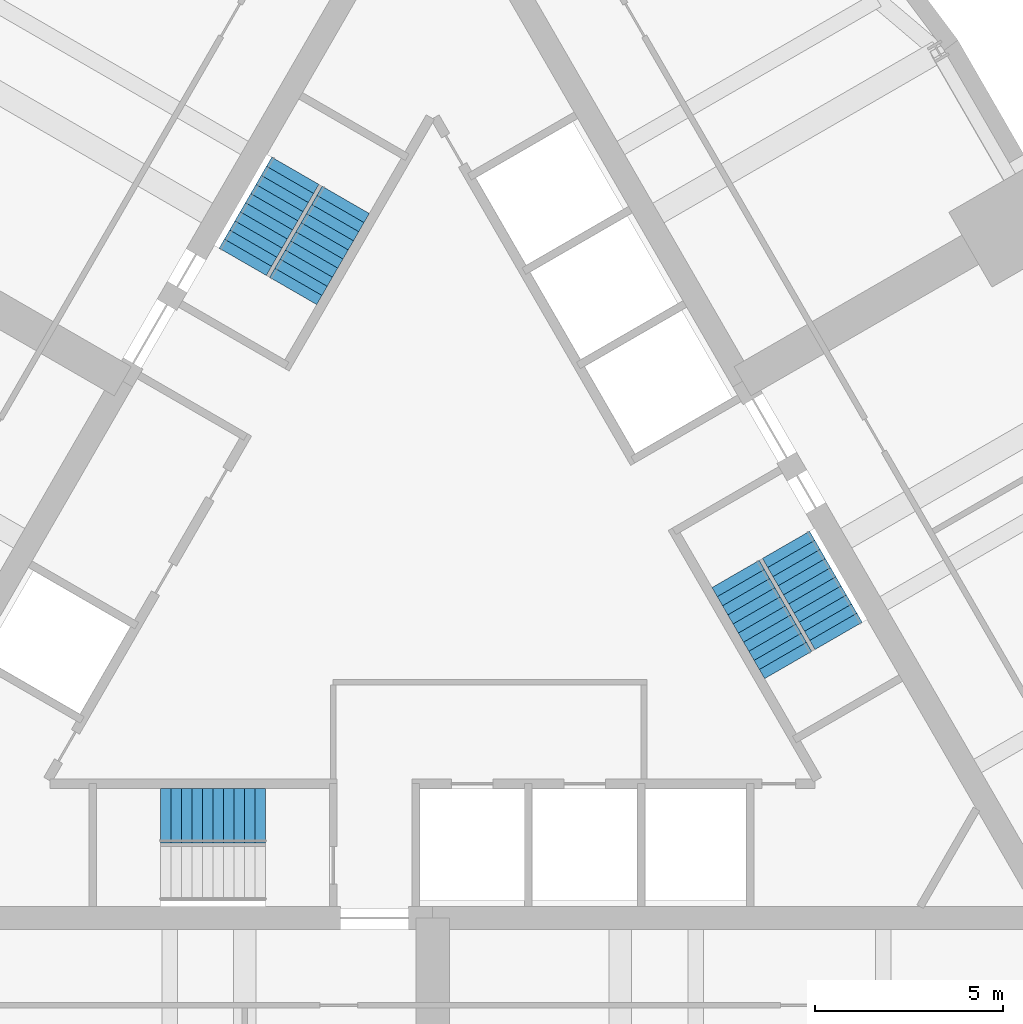
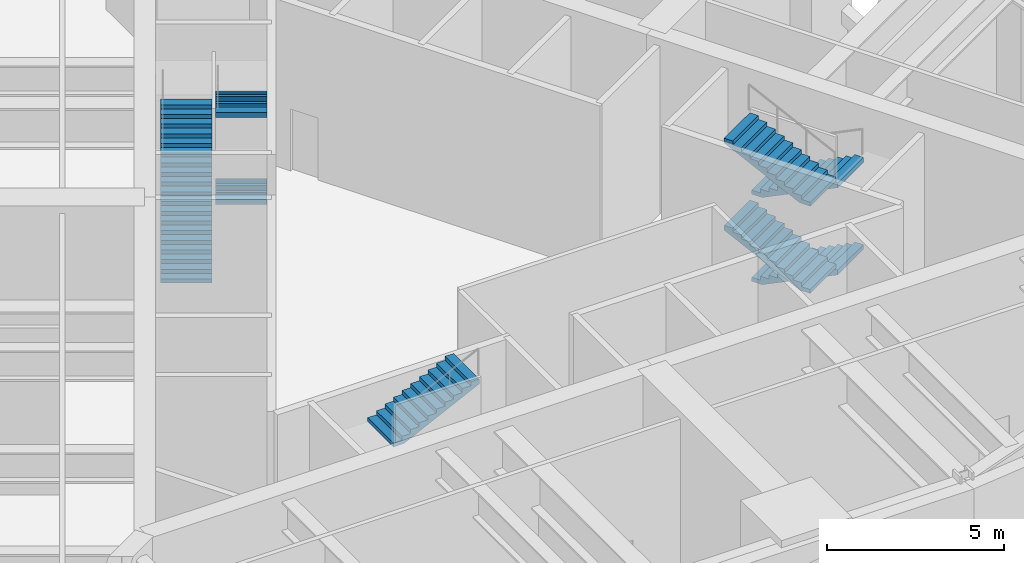
# One storey, part 5 of 6: 9 stair flights, 3 elements without a shape of their own.
"""IFC4 building model written with IfcOpenShell, lengths in metres."""

from ifc_helpers import new_model, si_unit, direction, frame, origin, place, context, subcontext, project, spatial, polyline, outline, extrude, material, type_object, element, aggregate, save


model = new_model("IFC4")

# Units and contexts
model_context = context("Model", 3, precision=1e-05, world=origin(), true_north=direction((0.0, 1.0)))
body_context = subcontext(model_context, "Body", "Model", "MODEL_VIEW")
ifc_project = project(units=[si_unit("LENGTHUNIT", "METRE"), si_unit("AREAUNIT", "SQUARE_METRE"), si_unit("VOLUMEUNIT", "CUBIC_METRE"), si_unit("PLANEANGLEUNIT", "RADIAN"), si_unit("MASSUNIT", "GRAM", prefix="KILO")], contexts=[model_context])

# Site, building, storey
site_placement = place(None, origin())
site = spatial("IfcSite", under=ifc_project, at=site_placement, CompositionType="ELEMENT")
building_placement = place(site_placement, origin())
building = spatial("IfcBuilding", under=site, at=building_placement, Name="Trikona Tower", CompositionType="ELEMENT")
storey_placement = place(building_placement, frame((0.0, 0.0, 275.300048828125)))
storey = spatial("IfcBuildingStorey", under=building, at=storey_placement, Name="L73", CompositionType="ELEMENT", Elevation=275.300048828125)

# Stair, stair flight
ifc_material_1 = material(Name="Concrete f'c 5000 psi", Category="concrete")
stair_type = type_object("IfcStairType", Name="Core stair", PredefinedType="HALF_TURN_STAIR", material=ifc_material_1)
stair_1_placement = place(storey_placement, origin())
stair_1 = element("IfcStair", 1, at=stair_1_placement, inside=storey, type_object=stair_type, Name="Stair A L73", PredefinedType="HALF_TURN_STAIR")
ifc_material_2 = material(Name="Concrete f'c 5000 psi", Category="concrete")
stair_flight_type = type_object("IfcStairFlightType", Name="Core stair flight 1450", PredefinedType="STRAIGHT", material=ifc_material_2)
stair_flight_1_placement = place(storey_placement, frame((-7.25, -6.80126953125, 4.5), z_axis=(0.0, 0.0, 1.0), x_axis=(1.0, 0.0, 0.0)))
stair_flight_1 = element("IfcStairFlight", 2, at=stair_flight_1_placement, type_object=stair_flight_type, Name="ST-A flight 4", NumberOfRisers=11, NumberOfTreads=10, PredefinedType="STRAIGHT", RiserHeight=0.136364, TreadLength=0.28, context=body_context, shape_type="SweptSolid", body=[
    extrude(outline(polyline([(0.0, 0.0), (0.0, 0.136474609375), (0.280029296875, 0.136474609375), (0.280029296875, 0.272705078125), (0.56005859375, 0.272705078125), (0.56005859375, 0.4091796875), (0.840087890625, 0.4091796875), (0.840087890625, 0.54541015625), (1.1201171875, 0.54541015625), (1.1201171875, 0.681884765625), (1.39990234375, 0.681884765625), (1.39990234375, 0.818115234375), (1.679931640625, 0.818115234375), (1.679931640625, 0.95458984375), (1.9599609375, 0.95458984375), (1.9599609375, 1.0908203125), (2.239990234375, 1.0908203125), (2.239990234375, 1.227294921875), (2.52001953125, 1.227294921875), (2.52001953125, 1.363525390625), (2.800048828125, 1.363525390625), (2.800048828125, 1.5), (2.800048828125, 1.197021484375), (0.34228515625, 0.0), (0.0, 0.0)])), frame((0.0, 0.72509765625, 0.0), z_axis=(0.0, -1.0, 0.0), x_axis=(1.0, 0.0, 0.0)), (0.0, 0.0, 1.0), 1.449951171875),
])
aggregate(stair_1, [stair_flight_1])

# Stair, stair flights
stair_2_placement = place(storey_placement, origin())
stair_2 = element("IfcStair", 3, at=stair_2_placement, inside=storey, type_object=stair_type, Name="Stair B L73", PredefinedType="HALF_TURN_STAIR")
stair_flight_2_placement = place(storey_placement, frame((9.407470703125, 0.408447265625, 0.0), z_axis=(0.0, 0.0, 1.0), x_axis=(0.5, -0.866025403784, 0.0)))
stair_flight_2 = element("IfcStairFlight", 4, at=stair_flight_2_placement, type_object=stair_flight_type, Name="ST-B flight 1", NumberOfRisers=11, NumberOfTreads=10, PredefinedType="STRAIGHT", RiserHeight=0.136364, TreadLength=0.28, context=body_context, shape_type="SweptSolid", body=[
    extrude(outline(polyline([(0.0, 0.0), (0.0, 0.136474609375), (0.280029296875, 0.136474609375), (0.280029296875, 0.272705078125), (0.56005859375, 0.272705078125), (0.56005859375, 0.4091796875), (0.840087890625, 0.4091796875), (0.840087890625, 0.54541015625), (1.1201171875, 0.54541015625), (1.1201171875, 0.681884765625), (1.39990234375, 0.681884765625), (1.39990234375, 0.818115234375), (1.679931640625, 0.818115234375), (1.679931640625, 0.95458984375), (1.9599609375, 0.95458984375), (1.9599609375, 1.0908203125), (2.239990234375, 1.0908203125), (2.239990234375, 1.227294921875), (2.52001953125, 1.227294921875), (2.52001953125, 1.363525390625), (2.800048828125, 1.363525390625), (2.800048828125, 1.5), (2.800048828125, 1.197021484375), (0.34228515625, 0.0), (0.0, 0.0)])), frame((0.0, 0.72509765625, 0.0), z_axis=(0.0, -1.0, 0.0), x_axis=(1.0, 0.0, 0.0)), (0.0, 0.0, 1.0), 1.449951171875),
])
stair_flight_3_placement = place(storey_placement, frame((9.465087890625, -2.79150390625, 1.5), z_axis=(0.0, 0.0, 1.0), x_axis=(-0.5, 0.866025403784, 0.0)))
stair_flight_3 = element("IfcStairFlight", 5, at=stair_flight_3_placement, type_object=stair_flight_type, Name="ST-B flight 2", NumberOfRisers=11, NumberOfTreads=10, PredefinedType="STRAIGHT", RiserHeight=0.136364, TreadLength=0.28, context=body_context, shape_type="SweptSolid", body=[
    extrude(outline(polyline([(0.0, 0.0), (0.0, 0.136474609375), (0.280029296875, 0.136474609375), (0.280029296875, 0.272705078125), (0.56005859375, 0.272705078125), (0.56005859375, 0.4091796875), (0.840087890625, 0.4091796875), (0.840087890625, 0.54541015625), (1.1201171875, 0.54541015625), (1.1201171875, 0.681884765625), (1.39990234375, 0.681884765625), (1.39990234375, 0.818115234375), (1.679931640625, 0.818115234375), (1.679931640625, 0.95458984375), (1.9599609375, 0.95458984375), (1.9599609375, 1.0908203125), (2.239990234375, 1.0908203125), (2.239990234375, 1.227294921875), (2.52001953125, 1.227294921875), (2.52001953125, 1.363525390625), (2.800048828125, 1.363525390625), (2.800048828125, 1.5), (2.800048828125, 1.197021484375), (0.34228515625, 0.0), (0.0, 0.0)])), frame((0.0, 0.72509765625, 0.0), z_axis=(0.0, -1.0, 0.0), x_axis=(1.0, 0.0, 0.0)), (0.0, 0.0, 1.0), 1.449951171875),
])
stair_flight_4_placement = place(storey_placement, frame((9.407470703125, 0.408447265625, 3.0), z_axis=(0.0, 0.0, 1.0), x_axis=(0.5, -0.866025403784, 0.0)))
stair_flight_4 = element("IfcStairFlight", 6, at=stair_flight_4_placement, type_object=stair_flight_type, Name="ST-B flight 3", NumberOfRisers=11, NumberOfTreads=10, PredefinedType="STRAIGHT", RiserHeight=0.136364, TreadLength=0.28, context=body_context, shape_type="SweptSolid", body=[
    extrude(outline(polyline([(0.0, 0.0), (0.0, 0.136474609375), (0.280029296875, 0.136474609375), (0.280029296875, 0.272705078125), (0.56005859375, 0.272705078125), (0.56005859375, 0.4091796875), (0.840087890625, 0.4091796875), (0.840087890625, 0.54541015625), (1.1201171875, 0.54541015625), (1.1201171875, 0.681884765625), (1.39990234375, 0.681884765625), (1.39990234375, 0.818115234375), (1.679931640625, 0.818115234375), (1.679931640625, 0.95458984375), (1.9599609375, 0.95458984375), (1.9599609375, 1.0908203125), (2.239990234375, 1.0908203125), (2.239990234375, 1.227294921875), (2.52001953125, 1.227294921875), (2.52001953125, 1.363525390625), (2.800048828125, 1.363525390625), (2.800048828125, 1.5), (2.800048828125, 1.197021484375), (0.34228515625, 0.0), (0.0, 0.0)])), frame((0.0, 0.72509765625, 0.0), z_axis=(0.0, -1.0, 0.0), x_axis=(1.0, 0.0, 0.0)), (0.0, 0.0, 1.0), 1.449951171875),
])
stair_flight_5_placement = place(storey_placement, frame((9.465087890625, -2.79150390625, 4.5), z_axis=(0.0, 0.0, 1.0), x_axis=(-0.5, 0.866025403784, 0.0)))
stair_flight_5 = element("IfcStairFlight", 7, at=stair_flight_5_placement, type_object=stair_flight_type, Name="ST-B flight 4", NumberOfRisers=11, NumberOfTreads=10, PredefinedType="STRAIGHT", RiserHeight=0.136364, TreadLength=0.28, context=body_context, shape_type="SweptSolid", body=[
    extrude(outline(polyline([(0.0, 0.0), (0.0, 0.136474609375), (0.280029296875, 0.136474609375), (0.280029296875, 0.272705078125), (0.56005859375, 0.272705078125), (0.56005859375, 0.4091796875), (0.840087890625, 0.4091796875), (0.840087890625, 0.54541015625), (1.1201171875, 0.54541015625), (1.1201171875, 0.681884765625), (1.39990234375, 0.681884765625), (1.39990234375, 0.818115234375), (1.679931640625, 0.818115234375), (1.679931640625, 0.95458984375), (1.9599609375, 0.95458984375), (1.9599609375, 1.0908203125), (2.239990234375, 1.0908203125), (2.239990234375, 1.227294921875), (2.52001953125, 1.227294921875), (2.52001953125, 1.363525390625), (2.800048828125, 1.363525390625), (2.800048828125, 1.5), (2.800048828125, 1.197021484375), (0.34228515625, 0.0), (0.0, 0.0)])), frame((0.0, 0.72509765625, 0.0), z_axis=(0.0, -1.0, 0.0), x_axis=(1.0, 0.0, 0.0)), (0.0, 0.0, 1.0), 1.449951171875),
])
aggregate(stair_2, [stair_flight_2, stair_flight_3, stair_flight_4, stair_flight_5])

stair_3_placement = place(storey_placement, origin())
stair_3 = element("IfcStair", 8, at=stair_3_placement, inside=storey, type_object=stair_type, Name="Stair C L73", PredefinedType="HALF_TURN_STAIR")
stair_flight_6_placement = place(storey_placement, frame((-5.057373046875, 7.94287109375, 0.0), z_axis=(0.0, 0.0, 1.0), x_axis=(0.5, 0.866025403784, 0.0)))
stair_flight_6 = element("IfcStairFlight", 9, at=stair_flight_6_placement, type_object=stair_flight_type, Name="ST-C flight 1", NumberOfRisers=11, NumberOfTreads=10, PredefinedType="STRAIGHT", RiserHeight=0.136364, TreadLength=0.28, context=body_context, shape_type="SweptSolid", body=[
    extrude(outline(polyline([(0.0, 0.0), (0.0, 0.136474609375), (0.280029296875, 0.136474609375), (0.280029296875, 0.272705078125), (0.56005859375, 0.272705078125), (0.56005859375, 0.4091796875), (0.840087890625, 0.4091796875), (0.840087890625, 0.54541015625), (1.1201171875, 0.54541015625), (1.1201171875, 0.681884765625), (1.39990234375, 0.681884765625), (1.39990234375, 0.818115234375), (1.679931640625, 0.818115234375), (1.679931640625, 0.95458984375), (1.9599609375, 0.95458984375), (1.9599609375, 1.0908203125), (2.239990234375, 1.0908203125), (2.239990234375, 1.227294921875), (2.52001953125, 1.227294921875), (2.52001953125, 1.363525390625), (2.800048828125, 1.363525390625), (2.800048828125, 1.5), (2.800048828125, 1.197021484375), (0.34228515625, 0.0), (0.0, 0.0)])), frame((0.0, 0.72509765625, 0.0), z_axis=(0.0, -1.0, 0.0), x_axis=(1.0, 0.0, 0.0)), (0.0, 0.0, 1.0), 1.449951171875),
])
stair_flight_7_placement = place(storey_placement, frame((-2.315185546875, 9.5927734375, 1.5), z_axis=(0.0, 0.0, 1.0), x_axis=(-0.5, -0.866025403784, 0.0)))
stair_flight_7 = element("IfcStairFlight", 10, at=stair_flight_7_placement, type_object=stair_flight_type, Name="ST-C flight 2", NumberOfRisers=11, NumberOfTreads=10, PredefinedType="STRAIGHT", RiserHeight=0.136364, TreadLength=0.28, context=body_context, shape_type="SweptSolid", body=[
    extrude(outline(polyline([(0.0, 0.0), (0.0, 0.136474609375), (0.280029296875, 0.136474609375), (0.280029296875, 0.272705078125), (0.56005859375, 0.272705078125), (0.56005859375, 0.4091796875), (0.840087890625, 0.4091796875), (0.840087890625, 0.54541015625), (1.1201171875, 0.54541015625), (1.1201171875, 0.681884765625), (1.39990234375, 0.681884765625), (1.39990234375, 0.818115234375), (1.679931640625, 0.818115234375), (1.679931640625, 0.95458984375), (1.9599609375, 0.95458984375), (1.9599609375, 1.0908203125), (2.239990234375, 1.0908203125), (2.239990234375, 1.227294921875), (2.52001953125, 1.227294921875), (2.52001953125, 1.363525390625), (2.800048828125, 1.363525390625), (2.800048828125, 1.5), (2.800048828125, 1.197021484375), (0.34228515625, 0.0), (0.0, 0.0)])), frame((0.0, 0.72509765625, 0.0), z_axis=(0.0, -1.0, 0.0), x_axis=(1.0, 0.0, 0.0)), (0.0, 0.0, 1.0), 1.449951171875),
])
stair_flight_8_placement = place(storey_placement, frame((-5.057373046875, 7.94287109375, 3.0), z_axis=(0.0, 0.0, 1.0), x_axis=(0.5, 0.866025403784, 0.0)))
stair_flight_8 = element("IfcStairFlight", 11, at=stair_flight_8_placement, type_object=stair_flight_type, Name="ST-C flight 3", NumberOfRisers=11, NumberOfTreads=10, PredefinedType="STRAIGHT", RiserHeight=0.136364, TreadLength=0.28, context=body_context, shape_type="SweptSolid", body=[
    extrude(outline(polyline([(0.0, 0.0), (0.0, 0.136474609375), (0.280029296875, 0.136474609375), (0.280029296875, 0.272705078125), (0.56005859375, 0.272705078125), (0.56005859375, 0.4091796875), (0.840087890625, 0.4091796875), (0.840087890625, 0.54541015625), (1.1201171875, 0.54541015625), (1.1201171875, 0.681884765625), (1.39990234375, 0.681884765625), (1.39990234375, 0.818115234375), (1.679931640625, 0.818115234375), (1.679931640625, 0.95458984375), (1.9599609375, 0.95458984375), (1.9599609375, 1.0908203125), (2.239990234375, 1.0908203125), (2.239990234375, 1.227294921875), (2.52001953125, 1.227294921875), (2.52001953125, 1.363525390625), (2.800048828125, 1.363525390625), (2.800048828125, 1.5), (2.800048828125, 1.197021484375), (0.34228515625, 0.0), (0.0, 0.0)])), frame((0.0, 0.72509765625, 0.0), z_axis=(0.0, -1.0, 0.0), x_axis=(1.0, 0.0, 0.0)), (0.0, 0.0, 1.0), 1.449951171875),
])
stair_flight_9_placement = place(storey_placement, frame((-2.315185546875, 9.5927734375, 4.5), z_axis=(0.0, 0.0, 1.0), x_axis=(-0.5, -0.866025403784, 0.0)))
stair_flight_9 = element("IfcStairFlight", 12, at=stair_flight_9_placement, type_object=stair_flight_type, Name="ST-C flight 4", NumberOfRisers=11, NumberOfTreads=10, PredefinedType="STRAIGHT", RiserHeight=0.136364, TreadLength=0.28, context=body_context, shape_type="SweptSolid", body=[
    extrude(outline(polyline([(0.0, 0.0), (0.0, 0.136474609375), (0.280029296875, 0.136474609375), (0.280029296875, 0.272705078125), (0.56005859375, 0.272705078125), (0.56005859375, 0.4091796875), (0.840087890625, 0.4091796875), (0.840087890625, 0.54541015625), (1.1201171875, 0.54541015625), (1.1201171875, 0.681884765625), (1.39990234375, 0.681884765625), (1.39990234375, 0.818115234375), (1.679931640625, 0.818115234375), (1.679931640625, 0.95458984375), (1.9599609375, 0.95458984375), (1.9599609375, 1.0908203125), (2.239990234375, 1.0908203125), (2.239990234375, 1.227294921875), (2.52001953125, 1.227294921875), (2.52001953125, 1.363525390625), (2.800048828125, 1.363525390625), (2.800048828125, 1.5), (2.800048828125, 1.197021484375), (0.34228515625, 0.0), (0.0, 0.0)])), frame((0.0, 0.72509765625, 0.0), z_axis=(0.0, -1.0, 0.0), x_axis=(1.0, 0.0, 0.0)), (0.0, 0.0, 1.0), 1.449951171875),
])
aggregate(stair_3, [stair_flight_6, stair_flight_7, stair_flight_8, stair_flight_9])

save(model, "model.ifc")
